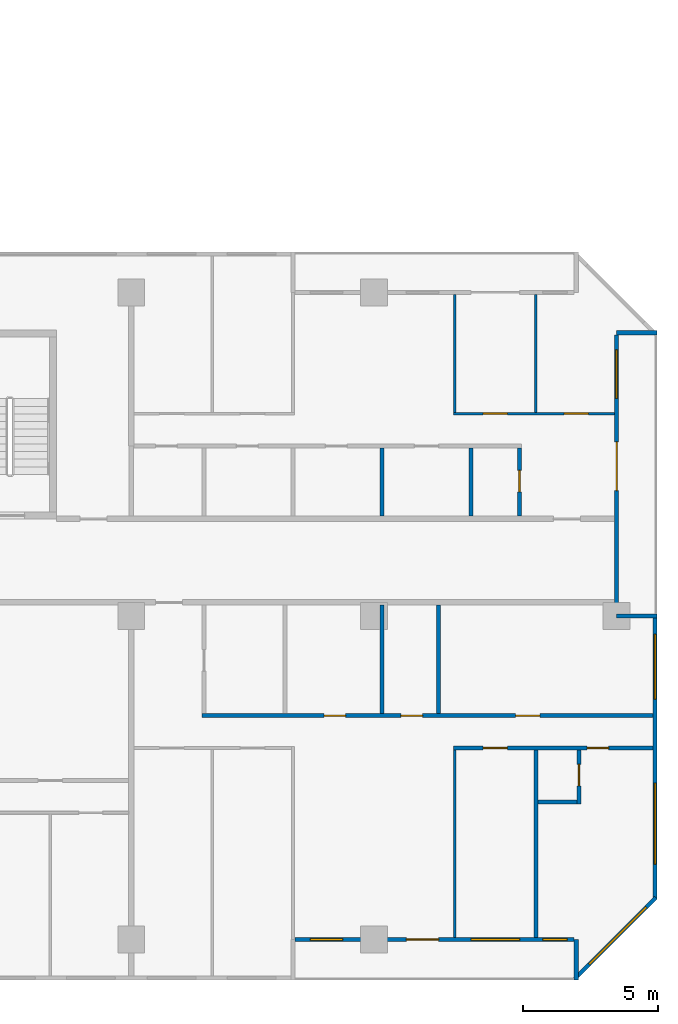
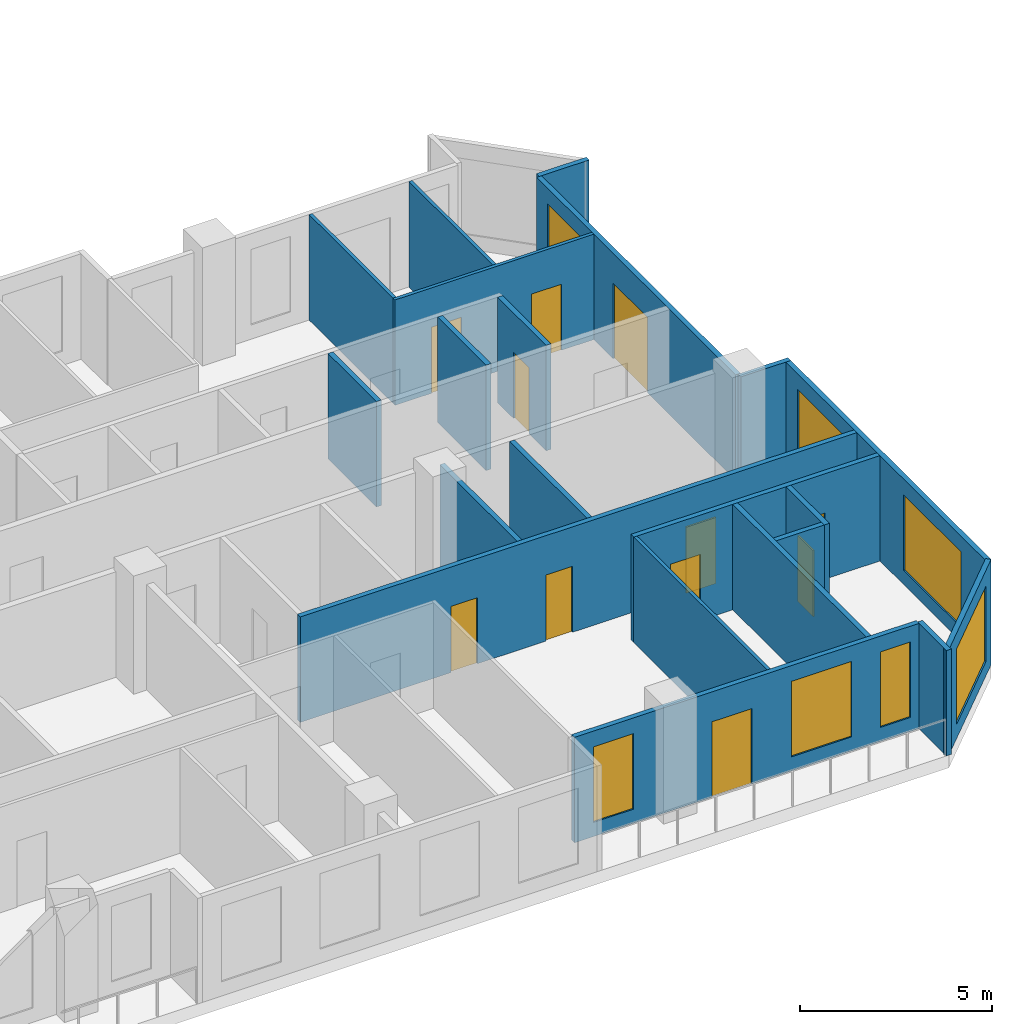
# One storey, part 12 of 16: 21 walls, 11 doors, 7 windows, 18 openings.
"""IFC4 building model written with IfcOpenShell, lengths in metres."""

from ifc_helpers import new_model, si_unit, direction, frame, frame_2d, origin, place, context, subcontext, project, spatial, rectangle, extrude, material, layer, layer_set, type_object, element, fill, save


model = new_model("IFC4")

# Units and contexts
model_context = context("Model", 3, precision=1e-05, world=origin(), true_north=direction((0.0, 1.0)))
body_context = subcontext(model_context, "Body", "Model", "MODEL_VIEW")
ifc_project = project(units=[si_unit("LENGTHUNIT", "METRE"), si_unit("AREAUNIT", "SQUARE_METRE"), si_unit("VOLUMEUNIT", "CUBIC_METRE"), si_unit("PLANEANGLEUNIT", "RADIAN"), si_unit("MASSUNIT", "GRAM", prefix="KILO")], contexts=[model_context])

# Site, building, storey
site_placement = place(None, origin())
site = spatial("IfcSite", under=ifc_project, at=site_placement, CompositionType="ELEMENT")
building_placement = place(site_placement, origin())
building = spatial("IfcBuilding", under=site, at=building_placement, Name="Chenar Terraces", CompositionType="ELEMENT")
storey_placement = place(building_placement, frame((0.0, 0.0, 103.14990234375)))
storey = spatial("IfcBuildingStorey", under=building, at=storey_placement, Name="L23", CompositionType="ELEMENT", Elevation=103.14990234375)

# Wall, openings, windows
ifc_material_1 = material(Name="Aluminium framed glazing", Category="aluminium")
ifc_layer_1 = layer(ifc_material_1, 0.14990234375)
ifc_layer_set_1 = layer_set([ifc_layer_1], Name="Aluminium framed glazing")
wall_type_1 = type_object("IfcWallType", Name="Glazed flush facade wall 150", PredefinedType="SOLIDWALL", material=ifc_layer_set_1)
wall_1_placement = place(storey_placement, frame((73.425048828125, 1.5, 0.0), z_axis=(0.0, 0.0, 1.0), x_axis=(0.0, 1.0, 0.0)))
wall_1 = element("IfcWall", 1, at=wall_1_placement, inside=storey, type_object=wall_type_1, Name="Glazed flush facade wall", PredefinedType="SOLIDWALL", context=body_context, shape_type="SweptSolid", body=[
    extrude(rectangle(XDim=10.425048828125, YDim=0.14990234375, at=frame_2d((5.21240234375, 0.0))), origin(), (0.0, 0.0, 1.0), 3.35009765625),
])
opening_1_placement = place(wall_1_placement, frame((1.300048828125, 0.0, 0.449951171875)))
opening_1 = element("IfcOpeningElement", 2, at=opening_1_placement, cuts=wall_1, Name="Opening W300x240", PredefinedType="OPENING", context=body_context, shape_type="SweptSolid", body=[
    extrude(rectangle(XDim=3.0, YDim=2.39990234375, at=frame_2d((1.5, 1.199951171875))), frame((0.0, 0.0849609375, 0.0), z_axis=(0.0, -1.0, 0.0), x_axis=(1.0, 0.0, 0.0)), (0.0, 0.0, 1.0), 0.169921875),
])
opening_2_placement = place(wall_1_placement, frame((7.41259765625, 0.0, 0.449951171875)))
opening_2 = element("IfcOpeningElement", 3, at=opening_2_placement, cuts=wall_1, Name="Opening W240x240", PredefinedType="OPENING", context=body_context, shape_type="SweptSolid", body=[
    extrude(rectangle(XDim=2.39990234375, YDim=2.39990234375, at=frame_2d((1.199951171875, 1.199951171875))), frame((0.0, 0.0849609375, 0.0), z_axis=(0.0, -1.0, 0.0), x_axis=(1.0, 0.0, 0.0)), (0.0, 0.0, 1.0), 0.169921875),
])
ifc_material_2 = material(Name="Low emissivity double glazing, aluminium frame", Category="aluminium")
window_type_1 = type_object("IfcWindowType", Name="Fixed light 2400 x 2400", PartitioningType="SINGLE_PANEL", PredefinedType="WINDOW", material=ifc_material_2)
window_1_placement = place(opening_2_placement, origin())
window_1 = element("IfcWindow", 4, at=window_1_placement, inside=storey, type_object=window_type_1, Name="Window", OverallHeight=2.39990234375, OverallWidth=2.39990234375, PartitioningType="SINGLE_PANEL", PredefinedType="WINDOW", context=body_context, shape_type="SweptSolid", body=[
    extrude(rectangle(XDim=2.39990234375, YDim=2.39990234375, at=frame_2d((1.199951171875, 1.199951171875))), frame((0.0, 0.030029296875, 0.0), z_axis=(0.0, -1.0, 0.0), x_axis=(1.0, 0.0, 0.0)), (0.0, 0.0, 1.0), 0.06005859375),
])
fill(opening_2, window_1)
ifc_material_3 = material(Name="Low emissivity double glazing, aluminium frame", Category="aluminium")
window_type_2 = type_object("IfcWindowType", Name="Fixed light 3000 x 2400", PartitioningType="SINGLE_PANEL", PredefinedType="WINDOW", material=ifc_material_3)
window_2_placement = place(opening_1_placement, origin())
window_2 = element("IfcWindow", 5, at=window_2_placement, inside=storey, type_object=window_type_2, Name="Window", OverallHeight=2.39990234375, OverallWidth=3.0, PartitioningType="SINGLE_PANEL", PredefinedType="WINDOW", context=body_context, shape_type="SweptSolid", body=[
    extrude(rectangle(XDim=3.0, YDim=2.39990234375, at=frame_2d((1.5, 1.199951171875))), frame((0.0, 0.030029296875, 0.0), z_axis=(0.0, -1.0, 0.0), x_axis=(1.0, 0.0, 0.0)), (0.0, 0.0, 1.0), 0.06005859375),
])
fill(opening_1, window_2)

# Wall, openings, windows, door
ifc_material_4 = material(Name="Aluminium framed glazing", Category="aluminium")
ifc_layer_2 = layer(ifc_material_4, 0.14990234375)
ifc_layer_set_2 = layer_set([ifc_layer_2], Name="Aluminium framed glazing")
wall_type_2 = type_object("IfcWallType", Name="Glazed loggia back wall 150", PredefinedType="SOLIDWALL", material=ifc_layer_set_2)
wall_2_placement = place(storey_placement, frame((60.074951171875, 0.0, 0.0), z_axis=(0.0, 0.0, 1.0), x_axis=(1.0, 0.0, 0.0)))
wall_2 = element("IfcWall", 6, at=wall_2_placement, inside=storey, type_object=wall_type_2, Name="Glazed loggia back wall", PredefinedType="SOLIDWALL", context=body_context, shape_type="SweptSolid", body=[
    extrude(rectangle(XDim=10.35009765625, YDim=0.14990234375, at=frame_2d((5.175048828125, 0.0))), origin(), (0.0, 0.0, 1.0), 3.35009765625),
])
opening_3_placement = place(wall_2_placement, frame((0.5625, 0.0, 0.449951171875)))
opening_3 = element("IfcOpeningElement", 7, at=opening_3_placement, cuts=wall_2, Name="Opening W120x240", PredefinedType="OPENING", context=body_context, shape_type="SweptSolid", body=[
    extrude(rectangle(XDim=1.199951171875, YDim=2.39990234375, at=frame_2d((0.60009765625, 1.199951171875))), frame((0.0, 0.0849609375, 0.0), z_axis=(0.0, -1.0, 0.0), x_axis=(1.0, 0.0, 0.0)), (0.0, 0.0, 1.0), 0.169921875),
])
opening_4_placement = place(wall_2_placement, frame((4.125, 0.0, 0.0)))
opening_4 = element("IfcOpeningElement", 8, at=opening_4_placement, cuts=wall_2, Name="Opening DL23-G8", PredefinedType="OPENING", context=body_context, shape_type="SweptSolid", body=[
    extrude(rectangle(XDim=1.199951171875, YDim=2.39990234375, at=frame_2d((0.60009765625, 1.199951171875))), frame((0.0, 0.0849609375, 0.0), z_axis=(0.0, -1.0, 0.0), x_axis=(1.0, 0.0, 0.0)), (0.0, 0.0, 1.0), 0.169921875),
])
opening_5_placement = place(wall_2_placement, frame((6.52490234375, 0.0, 0.449951171875)))
opening_5 = element("IfcOpeningElement", 9, at=opening_5_placement, cuts=wall_2, Name="Opening W180x240", PredefinedType="OPENING", context=body_context, shape_type="SweptSolid", body=[
    extrude(rectangle(XDim=1.800048828125, YDim=2.39990234375, at=frame_2d((0.89990234375, 1.199951171875))), frame((0.0, 0.0849609375, 0.0), z_axis=(0.0, -1.0, 0.0), x_axis=(1.0, 0.0, 0.0)), (0.0, 0.0, 1.0), 0.169921875),
])
opening_6_placement = place(wall_2_placement, frame((9.1875, 0.0, 0.449951171875)))
opening_6 = element("IfcOpeningElement", 10, at=opening_6_placement, cuts=wall_2, Name="Opening W90x240", PredefinedType="OPENING", context=body_context, shape_type="SweptSolid", body=[
    extrude(rectangle(XDim=0.89990234375, YDim=2.39990234375, at=frame_2d((0.449951171875, 1.199951171875))), frame((0.0, 0.0849609375, 0.0), z_axis=(0.0, -1.0, 0.0), x_axis=(1.0, 0.0, 0.0)), (0.0, 0.0, 1.0), 0.169921875),
])
ifc_material_5 = material(Name="Low emissivity double glazing, aluminium frame", Category="aluminium")
window_type_3 = type_object("IfcWindowType", Name="Fixed light 1200 x 2400", PartitioningType="SINGLE_PANEL", PredefinedType="WINDOW", material=ifc_material_5)
window_3_placement = place(opening_3_placement, origin())
window_3 = element("IfcWindow", 11, at=window_3_placement, inside=storey, type_object=window_type_3, Name="Window", OverallHeight=2.39990234375, OverallWidth=1.199951171875, PartitioningType="SINGLE_PANEL", PredefinedType="WINDOW", context=body_context, shape_type="SweptSolid", body=[
    extrude(rectangle(XDim=1.199951171875, YDim=2.39990234375, at=frame_2d((0.60009765625, 1.199951171875))), frame((0.0, 0.030029296875, 0.0), z_axis=(0.0, -1.0, 0.0), x_axis=(1.0, 0.0, 0.0)), (0.0, 0.0, 1.0), 0.06005859375),
])
fill(opening_3, window_3)
ifc_material_6 = material(Name="Low emissivity double glazing, aluminium frame", Category="aluminium")
window_type_4 = type_object("IfcWindowType", Name="Fixed light 1800 x 2400", PartitioningType="SINGLE_PANEL", PredefinedType="WINDOW", material=ifc_material_6)
window_4_placement = place(opening_5_placement, origin())
window_4 = element("IfcWindow", 12, at=window_4_placement, inside=storey, type_object=window_type_4, Name="Window", OverallHeight=2.39990234375, OverallWidth=1.800048828125, PartitioningType="SINGLE_PANEL", PredefinedType="WINDOW", context=body_context, shape_type="SweptSolid", body=[
    extrude(rectangle(XDim=1.800048828125, YDim=2.39990234375, at=frame_2d((0.89990234375, 1.199951171875))), frame((0.0, 0.030029296875, 0.0), z_axis=(0.0, -1.0, 0.0), x_axis=(1.0, 0.0, 0.0)), (0.0, 0.0, 1.0), 0.06005859375),
])
fill(opening_5, window_4)
ifc_material_7 = material(Name="Low emissivity double glazing, aluminium frame", Category="aluminium")
window_type_5 = type_object("IfcWindowType", Name="Fixed light 900 x 2400", PartitioningType="SINGLE_PANEL", PredefinedType="WINDOW", material=ifc_material_7)
window_5_placement = place(opening_6_placement, origin())
window_5 = element("IfcWindow", 13, at=window_5_placement, inside=storey, type_object=window_type_5, Name="Window", OverallHeight=2.39990234375, OverallWidth=0.89990234375, PartitioningType="SINGLE_PANEL", PredefinedType="WINDOW", context=body_context, shape_type="SweptSolid", body=[
    extrude(rectangle(XDim=0.89990234375, YDim=2.39990234375, at=frame_2d((0.449951171875, 1.199951171875))), frame((0.0, 0.030029296875, 0.0), z_axis=(0.0, -1.0, 0.0), x_axis=(1.0, 0.0, 0.0)), (0.0, 0.0, 1.0), 0.06005859375),
])
fill(opening_6, window_5)
ifc_material_8 = material(Name="Low emissivity double glazing, aluminium frame", Category="aluminium")
door_type_1 = type_object("IfcDoorType", Name="Loggia glazed double door 1200 x 2400", OperationType="DOUBLE_DOOR_SINGLE_SWING", PredefinedType="DOOR", material=ifc_material_8)
door_1_placement = place(opening_4_placement, frame((1.199951171875, 0.0, 0.0), z_axis=(0.0, 0.0, 1.0), x_axis=(-1.0, 0.0, 0.0)))
door_1 = element("IfcDoor", 14, at=door_1_placement, inside=storey, type_object=door_type_1, Name="Loggia glazed door", OperationType="DOUBLE_DOOR_SINGLE_SWING", OverallHeight=2.39990234375, OverallWidth=1.199951171875, PredefinedType="DOOR", context=body_context, shape_type="SweptSolid", body=[
    extrude(rectangle(XDim=1.199951171875, YDim=2.39990234375, at=frame_2d((0.60009765625, 1.199951171875))), frame((0.0, 0.02490234375, 0.0), z_axis=(0.0, -1.0, 0.0), x_axis=(1.0, 0.0, 0.0)), (0.0, 0.0, 1.0), 0.050048828125),
])
fill(opening_4, door_1)

# Wall, openings, window, door
wall_3_placement = place(storey_placement, frame((72.0, 12.074951171875, 0.0), z_axis=(0.0, 0.0, 1.0), x_axis=(0.0, 1.0, 0.0)))
wall_3 = element("IfcWall", 15, at=wall_3_placement, inside=storey, type_object=wall_type_2, Name="Glazed loggia back wall", PredefinedType="SOLIDWALL", context=body_context, shape_type="SweptSolid", body=[
    extrude(rectangle(XDim=10.35009765625, YDim=0.14990234375, at=frame_2d((5.175048828125, 0.0))), origin(), (0.0, 0.0, 1.0), 3.35009765625),
])
opening_7_placement = place(wall_3_placement, frame((4.574951171875, 0.0, 0.0)))
opening_7 = element("IfcOpeningElement", 16, at=opening_7_placement, cuts=wall_3, Name="Opening DL23-G9", PredefinedType="OPENING", context=body_context, shape_type="SweptSolid", body=[
    extrude(rectangle(XDim=1.800048828125, YDim=2.39990234375, at=frame_2d((0.89990234375, 1.199951171875))), frame((0.0, 0.0849609375, 0.0), z_axis=(0.0, -1.0, 0.0), x_axis=(1.0, 0.0, 0.0)), (0.0, 0.0, 1.0), 0.169921875),
])
opening_8_placement = place(wall_3_placement, frame((7.987548828125, 0.0, 0.449951171875)))
opening_8 = element("IfcOpeningElement", 17, at=opening_8_placement, cuts=wall_3, Name="Opening W180x240", PredefinedType="OPENING", context=body_context, shape_type="SweptSolid", body=[
    extrude(rectangle(XDim=1.800048828125, YDim=2.39990234375, at=frame_2d((0.89990234375, 1.199951171875))), frame((0.0, 0.0849609375, 0.0), z_axis=(0.0, -1.0, 0.0), x_axis=(1.0, 0.0, 0.0)), (0.0, 0.0, 1.0), 0.169921875),
])
window_6_placement = place(opening_8_placement, origin())
window_6 = element("IfcWindow", 18, at=window_6_placement, inside=storey, type_object=window_type_4, Name="Window", OverallHeight=2.39990234375, OverallWidth=1.800048828125, PartitioningType="SINGLE_PANEL", PredefinedType="WINDOW", context=body_context, shape_type="SweptSolid", body=[
    extrude(rectangle(XDim=1.800048828125, YDim=2.39990234375, at=frame_2d((0.89990234375, 1.199951171875))), frame((0.0, 0.030029296875, 0.0), z_axis=(0.0, -1.0, 0.0), x_axis=(1.0, 0.0, 0.0)), (0.0, 0.0, 1.0), 0.06005859375),
])
fill(opening_8, window_6)
ifc_material_9 = material(Name="Low emissivity double glazing, aluminium frame", Category="aluminium")
door_type_2 = type_object("IfcDoorType", Name="Loggia glazed double door 1800 x 2400", OperationType="DOUBLE_DOOR_SINGLE_SWING", PredefinedType="DOOR", material=ifc_material_9)
door_2_placement = place(opening_7_placement, frame((1.800048828125, 0.0, 0.0), z_axis=(0.0, 0.0, 1.0), x_axis=(-1.0, 0.0, 0.0)))
door_2 = element("IfcDoor", 19, at=door_2_placement, inside=storey, type_object=door_type_2, Name="Loggia glazed door", OperationType="DOUBLE_DOOR_SINGLE_SWING", OverallHeight=2.39990234375, OverallWidth=1.800048828125, PredefinedType="DOOR", context=body_context, shape_type="SweptSolid", body=[
    extrude(rectangle(XDim=1.800048828125, YDim=2.39990234375, at=frame_2d((0.89990234375, 1.199951171875))), frame((0.0, 0.02490234375, 0.0), z_axis=(0.0, -1.0, 0.0), x_axis=(1.0, 0.0, 0.0)), (0.0, 0.0, 1.0), 0.050048828125),
])
fill(opening_7, door_2)

# Wall, openings, doors
ifc_material_10 = material(Name="Gypsum board on steel studs", Category="steel")
ifc_layer_3 = layer(ifc_material_10, 0.10009765625)
ifc_layer_set_3 = layer_set([ifc_layer_3], Name="Gypsum board on steel studs")
wall_type_3 = type_object("IfcWallType", Name="Gypsum partition 100", PredefinedType="PARTITIONING", material=ifc_layer_set_3)
wall_4_placement = place(storey_placement, frame((65.949951171875, 19.5, 0.0), z_axis=(0.0, 0.0, 1.0), x_axis=(1.0, 0.0, 0.0)))
wall_4 = element("IfcWall", 20, at=wall_4_placement, inside=storey, type_object=wall_type_3, Name="Partition L23-094", PredefinedType="PARTITIONING", context=body_context, shape_type="SweptSolid", body=[
    extrude(rectangle(XDim=5.97607421875, YDim=0.10009765625, at=frame_2d((2.988037109375, 0.0))), origin(), (0.0, 0.0, 1.0), 3.35009765625),
])
opening_9_placement = place(wall_4_placement, frame((4.10009765625, 0.0, 0.0)))
opening_9 = element("IfcOpeningElement", 21, at=opening_9_placement, cuts=wall_4, Name="Opening DL23-7", PredefinedType="OPENING", context=body_context, shape_type="SweptSolid", body=[
    extrude(rectangle(XDim=0.89990234375, YDim=2.10009765625, at=frame_2d((0.449951171875, 1.050048828125))), frame((0.0, 0.06005859375, 0.0), z_axis=(0.0, -1.0, 0.0), x_axis=(1.0, 0.0, 0.0)), (0.0, 0.0, 1.0), 0.1201171875),
])
opening_10_placement = place(wall_4_placement, frame((1.10009765625, 0.0, 0.0)))
opening_10 = element("IfcOpeningElement", 22, at=opening_10_placement, cuts=wall_4, Name="Opening DL23-11", PredefinedType="OPENING", context=body_context, shape_type="SweptSolid", body=[
    extrude(rectangle(XDim=0.89990234375, YDim=2.10009765625, at=frame_2d((0.449951171875, 1.050048828125))), frame((0.0, 0.06005859375, 0.0), z_axis=(0.0, -1.0, 0.0), x_axis=(1.0, 0.0, 0.0)), (0.0, 0.0, 1.0), 0.1201171875),
])
ifc_material_11 = material(Name="Veneered timber door leaf", Category="wood")
door_type_3 = type_object("IfcDoorType", Name="Door 900 x 2100", OperationType="SINGLE_SWING_LEFT", PredefinedType="DOOR", material=ifc_material_11)
door_3_placement = place(opening_9_placement, origin())
door_3 = element("IfcDoor", 23, at=door_3_placement, inside=storey, type_object=door_type_3, Name="Door DL23-7", OperationType="SINGLE_SWING_LEFT", OverallHeight=2.10009765625, OverallWidth=0.89990234375, PredefinedType="DOOR", context=body_context, shape_type="SweptSolid", body=[
    extrude(rectangle(XDim=0.89990234375, YDim=2.10009765625, at=frame_2d((0.449951171875, 1.050048828125))), frame((0.0, 0.02490234375, 0.0), z_axis=(0.0, -1.0, 0.0), x_axis=(1.0, 0.0, 0.0)), (0.0, 0.0, 1.0), 0.050048828125),
])
fill(opening_9, door_3)
door_4_placement = place(opening_10_placement, origin())
door_4 = element("IfcDoor", 24, at=door_4_placement, inside=storey, type_object=door_type_3, Name="Door DL23-11", OperationType="SINGLE_SWING_LEFT", OverallHeight=2.10009765625, OverallWidth=0.89990234375, PredefinedType="DOOR", context=body_context, shape_type="SweptSolid", body=[
    extrude(rectangle(XDim=0.89990234375, YDim=2.10009765625, at=frame_2d((0.449951171875, 1.050048828125))), frame((0.0, 0.02490234375, 0.0), z_axis=(0.0, -1.0, 0.0), x_axis=(1.0, 0.0, 0.0)), (0.0, 0.0, 1.0), 0.050048828125),
])
fill(opening_10, door_4)

# Walls
wall_5_placement = place(storey_placement, frame((66.0, 0.073974609375, 0.0), z_axis=(0.0, 0.0, 1.0), x_axis=(0.0, 1.0, 0.0)))
element("IfcWall", 25, at=wall_5_placement, inside=storey, type_object=wall_type_3, Name="Partition L23-095", PredefinedType="PARTITIONING", context=body_context, shape_type="SweptSolid", body=[
    extrude(rectangle(XDim=6.950927734375, YDim=0.10009765625, at=frame_2d((3.4755859375, 0.0))), origin(), (0.0, 0.0, 1.0), 3.35009765625),
])
for number, where, z_axis, x_axis, name in (
    (26, (66.0, 19.550048828125, 0.0), (0.0, 0.0, 1.0), (0.0, 1.0, 0.0), "Partition L23-096"),
    (27, (69.0, 19.550048828125, 0.0), (0.0, 0.0, 1.0), (0.0, 1.0, 0.0), "Partition L23-100"),
):
    element("IfcWall", number, at=place(storey_placement, frame(where, z_axis=z_axis, x_axis=x_axis)), inside=storey, type_object=wall_type_3, Name=name, PredefinedType="PARTITIONING", context=body_context, shape_type="SweptSolid", body=[
        extrude(rectangle(XDim=4.3759765625, YDim=0.10009765625, at=frame_2d((2.18798828125, 0.0))), origin(), (0.0, 0.0, 1.0), 3.35009765625),
    ])
ifc_material_12 = material(Name="Terracotta cladding on insulated backing", Category="masonry")
ifc_layer_4 = layer(ifc_material_12, 0.14990234375)
ifc_layer_set_4 = layer_set([ifc_layer_4], Name="Terracotta cladding on insulated backing")
wall_type_4 = type_object("IfcWallType", Name="Loggia return wall 150", PredefinedType="SOLIDWALL", material=ifc_layer_set_4)
for number, where, z_axis, x_axis, name in (
    (28, (70.5, -1.5, 0.0), (0.0, 0.0, 1.0), (0.0, 1.0, 0.0), "Loggia return wall"),
    (29, (73.5, 12.0, 0.0), (0.0, 0.0, 1.0), (-1.0, 0.0, 0.0), "Loggia return wall"),
    (30, (73.5, 22.5, 0.0), (0.0, 0.0, 1.0), (-1.0, 0.0, 0.0), "Loggia return wall"),
):
    element("IfcWall", number, at=place(storey_placement, frame(where, z_axis=z_axis, x_axis=x_axis)), inside=storey, type_object=wall_type_4, Name=name, PredefinedType="SOLIDWALL", context=body_context, shape_type="SweptSolid", body=[
        extrude(rectangle(XDim=1.5, YDim=0.14990234375, at=frame_2d((0.75, 0.0))), origin(), (0.0, 0.0, 1.0), 3.35009765625),
    ])

# Wall, opening, window
ifc_material_13 = material(Name="Terracotta cladding on insulated backing", Category="masonry")
ifc_layer_5 = layer(ifc_material_13, 0.14990234375)
ifc_layer_set_5 = layer_set([ifc_layer_5], Name="Terracotta cladding on insulated backing")
wall_type_5 = type_object("IfcWallType", Name="Terracotta rainscreen wall 150", PredefinedType="SOLIDWALL", material=ifc_layer_set_5)
wall_6_placement = place(storey_placement, frame((70.447021484375, -1.447021484375, 0.0), z_axis=(0.0, 0.0, 1.0), x_axis=(0.707106781187, 0.707106781187, 0.0)))
wall_6 = element("IfcWall", 31, at=wall_6_placement, inside=storey, type_object=wall_type_5, Name="Terracotta rainscreen wall", PredefinedType="SOLIDWALL", context=body_context, shape_type="SweptSolid", body=[
    extrude(rectangle(XDim=4.24267578125, YDim=0.14990234375, at=frame_2d((2.121337890625, 0.0))), origin(), (0.0, 0.0, 1.0), 3.35009765625),
])
opening_11_placement = place(wall_6_placement, frame((0.744384765625, 0.0, 0.449951171875)))
opening_11 = element("IfcOpeningElement", 32, at=opening_11_placement, cuts=wall_6, Name="Opening W300x240", PredefinedType="OPENING", context=body_context, shape_type="SweptSolid", body=[
    extrude(rectangle(XDim=3.0, YDim=2.39990234375, at=frame_2d((1.5, 1.199951171875))), frame((0.0, 0.0849609375, 0.0), z_axis=(0.0, -1.0, 0.0), x_axis=(1.0, 0.0, 0.0)), (0.0, 0.0, 1.0), 0.169921875),
])
window_7_placement = place(opening_11_placement, origin())
window_7 = element("IfcWindow", 33, at=window_7_placement, inside=storey, type_object=window_type_2, Name="Window", OverallHeight=2.39990234375, OverallWidth=3.0, PartitioningType="SINGLE_PANEL", PredefinedType="WINDOW", context=body_context, shape_type="SweptSolid", body=[
    extrude(rectangle(XDim=3.0, YDim=2.39990234375, at=frame_2d((1.5, 1.199951171875))), frame((0.0, 0.030029296875, 0.0), z_axis=(0.0, -1.0, 0.0), x_axis=(1.0, 0.0, 0.0)), (0.0, 0.0, 1.0), 0.06005859375),
])
fill(opening_11, window_7)

# Wall, openings, doors
ifc_material_14 = material(Name="Moisture-resistant gypsum board on steel studs", Category="steel")
ifc_layer_6 = layer(ifc_material_14, 0.14990234375)
ifc_layer_set_6 = layer_set([ifc_layer_6], Name="Moisture-resistant gypsum board on steel studs")
wall_type_6 = type_object("IfcWallType", Name="Wet-room partition 150", PredefinedType="PARTITIONING", material=ifc_layer_set_6)
wall_7_placement = place(storey_placement, frame((56.625, 8.300048828125, 0.0), z_axis=(0.0, 0.0, 1.0), x_axis=(1.0, 0.0, 0.0)))
wall_7 = element("IfcWall", 34, at=wall_7_placement, inside=storey, type_object=wall_type_6, Name="Partition L23-081", PredefinedType="PARTITIONING", context=body_context, shape_type="SweptSolid", body=[
    extrude(rectangle(XDim=16.72509765625, YDim=0.14990234375, at=frame_2d((8.362548828125, 0.0))), origin(), (0.0, 0.0, 1.0), 3.35009765625),
])
opening_12_placement = place(wall_7_placement, frame((4.52490234375, 0.0, 0.0)))
opening_12 = element("IfcOpeningElement", 35, at=opening_12_placement, cuts=wall_7, Name="Opening DL23-14", PredefinedType="OPENING", context=body_context, shape_type="SweptSolid", body=[
    extrude(rectangle(XDim=0.800048828125, YDim=2.10009765625, at=frame_2d((0.39990234375, 1.050048828125))), frame((0.0, 0.0849609375, 0.0), z_axis=(0.0, -1.0, 0.0), x_axis=(1.0, 0.0, 0.0)), (0.0, 0.0, 1.0), 0.169921875),
])
opening_13_placement = place(wall_7_placement, frame((11.625, 0.0, 0.0)))
opening_13 = element("IfcOpeningElement", 36, at=opening_13_placement, cuts=wall_7, Name="Opening DL23-17", PredefinedType="OPENING", context=body_context, shape_type="SweptSolid", body=[
    extrude(rectangle(XDim=0.89990234375, YDim=2.10009765625, at=frame_2d((0.449951171875, 1.050048828125))), frame((0.0, 0.0849609375, 0.0), z_axis=(0.0, -1.0, 0.0), x_axis=(1.0, 0.0, 0.0)), (0.0, 0.0, 1.0), 0.169921875),
])
opening_14_placement = place(wall_7_placement, frame((7.375, 0.0, 0.0)))
opening_14 = element("IfcOpeningElement", 37, at=opening_14_placement, cuts=wall_7, Name="Opening DL23-23", PredefinedType="OPENING", context=body_context, shape_type="SweptSolid", body=[
    extrude(rectangle(XDim=0.800048828125, YDim=2.10009765625, at=frame_2d((0.39990234375, 1.050048828125))), frame((0.0, 0.0849609375, 0.0), z_axis=(0.0, -1.0, 0.0), x_axis=(1.0, 0.0, 0.0)), (0.0, 0.0, 1.0), 0.169921875),
])
ifc_material_15 = material(Name="Veneered timber door leaf", Category="wood")
door_type_4 = type_object("IfcDoorType", Name="Door 800 x 2100", OperationType="SINGLE_SWING_LEFT", PredefinedType="DOOR", material=ifc_material_15)
door_5_placement = place(opening_12_placement, origin())
door_5 = element("IfcDoor", 38, at=door_5_placement, inside=storey, type_object=door_type_4, Name="Door DL23-14", OperationType="SINGLE_SWING_RIGHT", OverallHeight=2.10009765625, OverallWidth=0.800048828125, PredefinedType="DOOR", context=body_context, shape_type="SweptSolid", body=[
    extrude(rectangle(XDim=0.800048828125, YDim=2.10009765625, at=frame_2d((0.39990234375, 1.050048828125))), frame((0.0, 0.02490234375, 0.0), z_axis=(0.0, -1.0, 0.0), x_axis=(1.0, 0.0, 0.0)), (0.0, 0.0, 1.0), 0.050048828125),
])
fill(opening_12, door_5)
door_6_placement = place(opening_14_placement, origin())
door_6 = element("IfcDoor", 39, at=door_6_placement, inside=storey, type_object=door_type_4, Name="Door DL23-23", OperationType="SINGLE_SWING_RIGHT", OverallHeight=2.10009765625, OverallWidth=0.800048828125, PredefinedType="DOOR", context=body_context, shape_type="SweptSolid", body=[
    extrude(rectangle(XDim=0.800048828125, YDim=2.10009765625, at=frame_2d((0.39990234375, 1.050048828125))), frame((0.0, 0.02490234375, 0.0), z_axis=(0.0, -1.0, 0.0), x_axis=(1.0, 0.0, 0.0)), (0.0, 0.0, 1.0), 0.050048828125),
])
fill(opening_14, door_6)
door_7_placement = place(opening_13_placement, origin())
door_7 = element("IfcDoor", 40, at=door_7_placement, inside=storey, type_object=door_type_3, Name="Door DL23-17", OperationType="SINGLE_SWING_RIGHT", OverallHeight=2.10009765625, OverallWidth=0.89990234375, PredefinedType="DOOR", context=body_context, shape_type="SweptSolid", body=[
    extrude(rectangle(XDim=0.89990234375, YDim=2.10009765625, at=frame_2d((0.449951171875, 1.050048828125))), frame((0.0, 0.02490234375, 0.0), z_axis=(0.0, -1.0, 0.0), x_axis=(1.0, 0.0, 0.0)), (0.0, 0.0, 1.0), 0.050048828125),
])
fill(opening_13, door_7)

# Walls
wall_8_placement = place(storey_placement, frame((63.300048828125, 8.375, 0.0), z_axis=(0.0, 0.0, 1.0), x_axis=(0.0, 1.0, 0.0)))
element("IfcWall", 41, at=wall_8_placement, inside=storey, type_object=wall_type_6, Name="Partition L23-090", PredefinedType="PARTITIONING", context=body_context, shape_type="SweptSolid", body=[
    extrude(rectangle(XDim=4.02490234375, YDim=0.14990234375, at=frame_2d((2.012451171875, 0.0))), origin(), (0.0, 0.0, 1.0), 3.35009765625),
])
wall_9_placement = place(storey_placement, frame((63.300048828125, 15.699951171875, 0.0), z_axis=(0.0, 0.0, 1.0), x_axis=(0.0, 1.0, 0.0)))
element("IfcWall", 42, at=wall_9_placement, inside=storey, type_object=wall_type_6, Name="Partition L23-091", PredefinedType="PARTITIONING", context=body_context, shape_type="SweptSolid", body=[
    extrude(rectangle(XDim=2.525146484375, YDim=0.14990234375, at=frame_2d((1.2626953125, 0.0))), origin(), (0.0, 0.0, 1.0), 3.35009765625),
])
wall_10_placement = place(storey_placement, frame((65.39990234375, 8.375, 0.0), z_axis=(0.0, 0.0, 1.0), x_axis=(0.0, 1.0, 0.0)))
element("IfcWall", 43, at=wall_10_placement, inside=storey, type_object=wall_type_6, Name="Partition L23-092", PredefinedType="PARTITIONING", context=body_context, shape_type="SweptSolid", body=[
    extrude(rectangle(XDim=4.02490234375, YDim=0.14990234375, at=frame_2d((2.012451171875, 0.0))), origin(), (0.0, 0.0, 1.0), 3.35009765625),
])

# Wall, openings, doors
wall_11_placement = place(storey_placement, frame((65.949951171875, 7.10009765625, 0.0), z_axis=(0.0, 0.0, 1.0), x_axis=(1.0, 0.0, 0.0)))
wall_11 = element("IfcWall", 44, at=wall_11_placement, inside=storey, type_object=wall_type_6, Name="Partition L23-093", PredefinedType="PARTITIONING", context=body_context, shape_type="SweptSolid", body=[
    extrude(rectangle(XDim=7.400146484375, YDim=0.14990234375, at=frame_2d((3.7001953125, 0.0))), origin(), (0.0, 0.0, 1.0), 3.35009765625),
])
opening_15_placement = place(wall_11_placement, frame((4.949951171875, 0.0, 0.0)))
opening_15 = element("IfcOpeningElement", 45, at=opening_15_placement, cuts=wall_11, Name="Opening DL23-19", PredefinedType="OPENING", context=body_context, shape_type="SweptSolid", body=[
    extrude(rectangle(XDim=0.800048828125, YDim=2.10009765625, at=frame_2d((0.39990234375, 1.050048828125))), frame((0.0, 0.0849609375, 0.0), z_axis=(0.0, -1.0, 0.0), x_axis=(1.0, 0.0, 0.0)), (0.0, 0.0, 1.0), 0.169921875),
])
opening_16_placement = place(wall_11_placement, frame((1.10009765625, 0.0, 0.0)))
opening_16 = element("IfcOpeningElement", 46, at=opening_16_placement, cuts=wall_11, Name="Opening DL23-21", PredefinedType="OPENING", context=body_context, shape_type="SweptSolid", body=[
    extrude(rectangle(XDim=0.89990234375, YDim=2.10009765625, at=frame_2d((0.449951171875, 1.050048828125))), frame((0.0, 0.0849609375, 0.0), z_axis=(0.0, -1.0, 0.0), x_axis=(1.0, 0.0, 0.0)), (0.0, 0.0, 1.0), 0.169921875),
])
door_8_placement = place(opening_15_placement, frame((0.800048828125, 0.0, 0.0), z_axis=(0.0, 0.0, 1.0), x_axis=(-1.0, 0.0, 0.0)))
door_8 = element("IfcDoor", 47, at=door_8_placement, inside=storey, type_object=door_type_4, Name="Door DL23-19", OperationType="SINGLE_SWING_RIGHT", OverallHeight=2.10009765625, OverallWidth=0.800048828125, PredefinedType="DOOR", context=body_context, shape_type="SweptSolid", body=[
    extrude(rectangle(XDim=0.800048828125, YDim=2.10009765625, at=frame_2d((0.39990234375, 1.050048828125))), frame((0.0, 0.02490234375, 0.0), z_axis=(0.0, -1.0, 0.0), x_axis=(1.0, 0.0, 0.0)), (0.0, 0.0, 1.0), 0.050048828125),
])
fill(opening_15, door_8)
door_9_placement = place(opening_16_placement, frame((0.89990234375, 0.0, 0.0), z_axis=(0.0, 0.0, 1.0), x_axis=(-1.0, 0.0, 0.0)))
door_9 = element("IfcDoor", 48, at=door_9_placement, inside=storey, type_object=door_type_3, Name="Door DL23-21", OperationType="SINGLE_SWING_RIGHT", OverallHeight=2.10009765625, OverallWidth=0.89990234375, PredefinedType="DOOR", context=body_context, shape_type="SweptSolid", body=[
    extrude(rectangle(XDim=0.89990234375, YDim=2.10009765625, at=frame_2d((0.449951171875, 1.050048828125))), frame((0.0, 0.02490234375, 0.0), z_axis=(0.0, -1.0, 0.0), x_axis=(1.0, 0.0, 0.0)), (0.0, 0.0, 1.0), 0.050048828125),
])
fill(opening_16, door_9)

# Wall
wall_12_placement = place(storey_placement, frame((66.60009765625, 15.699951171875, 0.0), z_axis=(0.0, 0.0, 1.0), x_axis=(0.0, 1.0, 0.0)))
element("IfcWall", 49, at=wall_12_placement, inside=storey, type_object=wall_type_6, Name="Partition L23-097", PredefinedType="PARTITIONING", context=body_context, shape_type="SweptSolid", body=[
    extrude(rectangle(XDim=2.525146484375, YDim=0.14990234375, at=frame_2d((1.2626953125, 0.0))), origin(), (0.0, 0.0, 1.0), 3.35009765625),
])

# Wall, opening, door
wall_13_placement = place(storey_placement, frame((68.39990234375, 15.699951171875, 0.0), z_axis=(0.0, 0.0, 1.0), x_axis=(0.0, 1.0, 0.0)))
wall_13 = element("IfcWall", 50, at=wall_13_placement, inside=storey, type_object=wall_type_6, Name="Partition L23-098", PredefinedType="PARTITIONING", context=body_context, shape_type="SweptSolid", body=[
    extrude(rectangle(XDim=2.525146484375, YDim=0.14990234375, at=frame_2d((1.2626953125, 0.0))), origin(), (0.0, 0.0, 1.0), 3.35009765625),
])
opening_17_placement = place(wall_13_placement, frame((0.89990234375, 0.0, 0.0)))
opening_17 = element("IfcOpeningElement", 51, at=opening_17_placement, cuts=wall_13, Name="Opening DL23-13", PredefinedType="OPENING", context=body_context, shape_type="SweptSolid", body=[
    extrude(rectangle(XDim=0.800048828125, YDim=2.10009765625, at=frame_2d((0.39990234375, 1.050048828125))), frame((0.0, 0.0849609375, 0.0), z_axis=(0.0, -1.0, 0.0), x_axis=(1.0, 0.0, 0.0)), (0.0, 0.0, 1.0), 0.169921875),
])
door_10_placement = place(opening_17_placement, origin())
door_10 = element("IfcDoor", 52, at=door_10_placement, inside=storey, type_object=door_type_4, Name="Door DL23-13", OperationType="SINGLE_SWING_RIGHT", OverallHeight=2.10009765625, OverallWidth=0.800048828125, PredefinedType="DOOR", context=body_context, shape_type="SweptSolid", body=[
    extrude(rectangle(XDim=0.800048828125, YDim=2.10009765625, at=frame_2d((0.39990234375, 1.050048828125))), frame((0.0, 0.02490234375, 0.0), z_axis=(0.0, -1.0, 0.0), x_axis=(1.0, 0.0, 0.0)), (0.0, 0.0, 1.0), 0.050048828125),
])
fill(opening_17, door_10)

# Walls
wall_14_placement = place(storey_placement, frame((69.0, 0.073974609375, 0.0), z_axis=(0.0, 0.0, 1.0), x_axis=(0.0, 1.0, 0.0)))
element("IfcWall", 53, at=wall_14_placement, inside=storey, type_object=wall_type_6, Name="Partition L23-099", PredefinedType="PARTITIONING", context=body_context, shape_type="SweptSolid", body=[
    extrude(rectangle(XDim=6.950927734375, YDim=0.14990234375, at=frame_2d((3.4755859375, 0.0))), origin(), (0.0, 0.0, 1.0), 3.35009765625),
])
wall_15_placement = place(storey_placement, frame((69.074951171875, 5.10009765625, 0.0), z_axis=(0.0, 0.0, 1.0), x_axis=(1.0, 0.0, 0.0)))
element("IfcWall", 54, at=wall_15_placement, inside=storey, type_object=wall_type_6, Name="Partition L23-101", PredefinedType="PARTITIONING", context=body_context, shape_type="SweptSolid", body=[
    extrude(rectangle(XDim=1.449951171875, YDim=0.14990234375, at=frame_2d((0.72509765625, 0.0))), origin(), (0.0, 0.0, 1.0), 3.35009765625),
])

# Wall, opening, door
wall_16_placement = place(storey_placement, frame((70.60009765625, 5.02490234375, 0.0), z_axis=(0.0, 0.0, 1.0), x_axis=(0.0, 1.0, 0.0)))
wall_16 = element("IfcWall", 55, at=wall_16_placement, inside=storey, type_object=wall_type_6, Name="Partition L23-102", PredefinedType="PARTITIONING", context=body_context, shape_type="SweptSolid", body=[
    extrude(rectangle(XDim=2.0, YDim=0.14990234375, at=frame_2d((1.0, 0.0))), origin(), (0.0, 0.0, 1.0), 3.35009765625),
])
opening_18_placement = place(wall_16_placement, frame((0.675048828125, 0.0, 0.0)))
opening_18 = element("IfcOpeningElement", 56, at=opening_18_placement, cuts=wall_16, Name="Opening DL23-20", PredefinedType="OPENING", context=body_context, shape_type="SweptSolid", body=[
    extrude(rectangle(XDim=0.800048828125, YDim=2.10009765625, at=frame_2d((0.39990234375, 1.050048828125))), frame((0.0, 0.0849609375, 0.0), z_axis=(0.0, -1.0, 0.0), x_axis=(1.0, 0.0, 0.0)), (0.0, 0.0, 1.0), 0.169921875),
])
door_11_placement = place(opening_18_placement, origin())
door_11 = element("IfcDoor", 57, at=door_11_placement, inside=storey, type_object=door_type_4, Name="Door DL23-20", OperationType="SINGLE_SWING_LEFT", OverallHeight=2.10009765625, OverallWidth=0.800048828125, PredefinedType="DOOR", context=body_context, shape_type="SweptSolid", body=[
    extrude(rectangle(XDim=0.800048828125, YDim=2.10009765625, at=frame_2d((0.39990234375, 1.050048828125))), frame((0.0, 0.02490234375, 0.0), z_axis=(0.0, -1.0, 0.0), x_axis=(1.0, 0.0, 0.0)), (0.0, 0.0, 1.0), 0.050048828125),
])
fill(opening_18, door_11)

save(model, "model.ifc")
